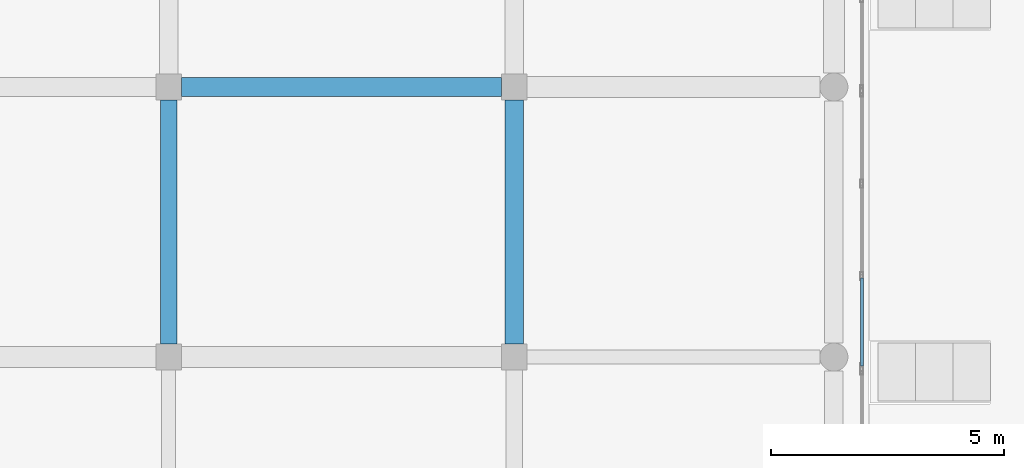
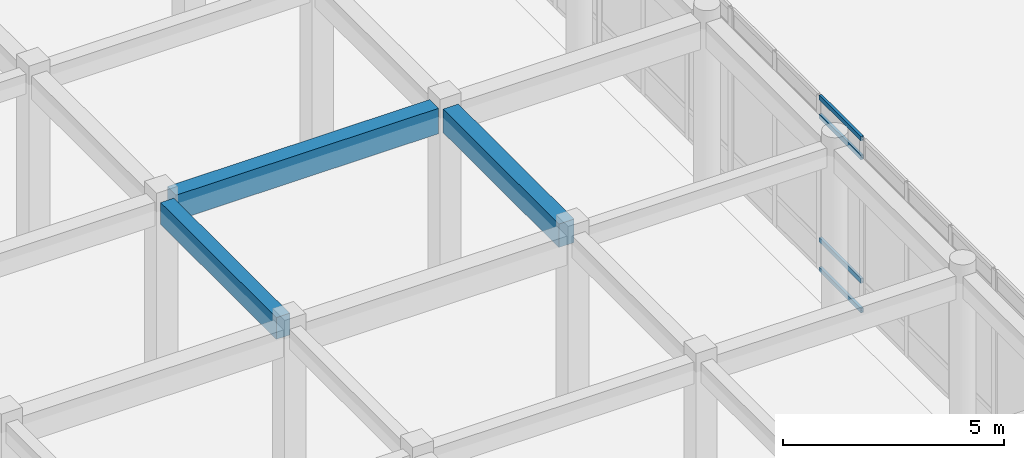
# One storey, part 24 of 121: 4 members, 3 beams, 1 element without a shape of its own.
"""IFC4 building model written with IfcOpenShell, lengths in metres."""

from ifc_helpers import new_model, si_unit, direction, frame, origin, origin_2d, place, context, subcontext, project, spatial, rectangle, hollow_rectangle, extrude, material, layer, layer_set, material_profile, profile_set, type_object, element, aggregate, save


model = new_model("IFC4")

# Units and contexts
model_context = context("Model", 3, precision=1e-05, world=origin(), true_north=direction((0.0, 1.0)))
body_context = subcontext(model_context, "Body", "Model", "MODEL_VIEW")
ifc_project = project(units=[si_unit("LENGTHUNIT", "METRE"), si_unit("AREAUNIT", "SQUARE_METRE"), si_unit("VOLUMEUNIT", "CUBIC_METRE"), si_unit("PLANEANGLEUNIT", "RADIAN"), si_unit("MASSUNIT", "GRAM", prefix="KILO")], contexts=[model_context])

# Site, building, storey
site_placement = place(None, origin())
site = spatial("IfcSite", under=ifc_project, at=site_placement, CompositionType="ELEMENT")
building_placement = place(site_placement, origin())
building = spatial("IfcBuilding", under=site, at=building_placement, Name="Valcora Specialist Clinic", CompositionType="ELEMENT")
storey_placement = place(building_placement, origin())
storey = spatial("IfcBuildingStorey", under=building, at=storey_placement, Name="L00", CompositionType="ELEMENT", Elevation=0.0)

# Beams
ifc_material_1 = material(Name="Concrete C40/50", Category="concrete")
ifc_material_profile_1 = material_profile(ifc_material_1, rectangle(XDim=0.35009765625, YDim=0.60009765625, at=origin_2d()), Name="RC-BM-350X600")
ifc_profile_set_1 = profile_set([ifc_material_profile_1], Name="Concrete C40/50")
beam_type_1 = type_object("IfcBeamType", Name="TY-BM-RC350X600", PredefinedType="BEAM", material=ifc_profile_set_1)
beam_1_placement = place(storey_placement, frame((15.0, 50.595947265625, 4.510009765625), z_axis=(0.0, 1.0, 0.0), x_axis=(-1.0, 0.0, 0.0)))
element("IfcBeam", 1, at=beam_1_placement, inside=storey, type_object=beam_type_1, Name="Beam BM-L00-0114", PredefinedType="BEAM", context=body_context, shape_type="SweptSolid", body=[
    extrude(rectangle(XDim=0.35009765625, YDim=0.60009765625, at=origin_2d()), origin(), (0.0, 0.0, 1.0), 5.236083984375),
])
ifc_material_profile_2 = material_profile(ifc_material_1, rectangle(XDim=0.39990234375, YDim=0.64990234375, at=origin_2d()), Name="RC-BM-400X650")
ifc_profile_set_2 = profile_set([ifc_material_profile_2], Name="Concrete C40/50")
beam_type_2 = type_object("IfcBeamType", Name="TY-BM-RC400X650", PredefinedType="BEAM", material=ifc_profile_set_2)
beam_2_placement = place(storey_placement, frame((22.39990234375, 50.595947265625, 4.485107421875), z_axis=(0.0, 1.0, 0.0), x_axis=(-1.0, 0.0, 0.0)))
element("IfcBeam", 2, at=beam_2_placement, inside=storey, type_object=beam_type_2, Name="Beam BM-L00-0121", PredefinedType="BEAM", context=body_context, shape_type="SweptSolid", body=[
    extrude(rectangle(XDim=0.39990234375, YDim=0.64990234375, at=origin_2d()), origin(), (0.0, 0.0, 1.0), 5.236083984375),
])
ifc_material_profile_3 = material_profile(ifc_material_1, rectangle(XDim=0.39990234375, YDim=0.699951171875, at=origin_2d()), Name="RC-BM-400X700")
ifc_profile_set_3 = profile_set([ifc_material_profile_3], Name="Concrete C40/50")
beam_type_3 = type_object("IfcBeamType", Name="TY-BM-RC400X700", PredefinedType="BEAM", material=ifc_profile_set_3)
beam_3_placement = place(storey_placement, frame((15.27490234375, 56.10693359375, 4.4599609375), z_axis=(1.0, 0.0, 0.0), x_axis=(0.0, 1.0, 0.0)))
element("IfcBeam", 3, at=beam_3_placement, inside=storey, type_object=beam_type_3, Name="Beam BM-L00-0082", PredefinedType="BEAM", context=body_context, shape_type="SweptSolid", body=[
    extrude(rectangle(XDim=0.39990234375, YDim=0.699951171875, at=origin_2d()), origin(), (0.0, 0.0, 1.0), 6.85009765625),
])

# Curtain wall, members
ifc_material_2 = material(Name="Anodized Bronze Aluminium 6063-T6", Category="aluminium")
ifc_layer = layer(ifc_material_2, 0.175048828125)
ifc_layer_set = layer_set([ifc_layer], Name="Anodized Bronze Aluminium 6063-T6")
curtain_wall_type = type_object("IfcCurtainWallType", Name="TY-CW-HAL18", PredefinedType="NOTDEFINED", material=ifc_layer_set)
curtain_wall_placement = place(storey_placement, origin())
curtain_wall = element("IfcCurtainWall", 4, at=curtain_wall_placement, inside=storey, type_object=curtain_wall_type, Name="Curtain wall CW-L00-005", PredefinedType="NOTDEFINED")
ifc_material_profile_4 = material_profile(ifc_material_2, hollow_rectangle(XDim=0.06494140625, YDim=0.1298828125, WallThickness=0.00390625, at=origin_2d()), Name="AL-TRN-65X130")
ifc_profile_set_4 = profile_set([ifc_material_profile_4], Name="Anodized Bronze Aluminium 6063-T6")
member_type = type_object("IfcMemberType", Name="TY-CWT-65X130", PredefinedType="USERDEFINED", material=ifc_profile_set_4)
member_1_placement = place(storey_placement, frame((29.85009765625, 52.017578125, 0.032470703125), z_axis=(0.0, -1.0, 0.0), x_axis=(1.0, 0.0, 0.0)))
member_1 = element("IfcMember", 5, at=member_1_placement, type_object=member_type, Name="CW-HAL-18 transom 3.1", ObjectType="TRANSOM", PredefinedType="USERDEFINED", context=body_context, shape_type="SweptSolid", body=[
    extrude(hollow_rectangle(XDim=0.06494140625, YDim=0.1298828125, WallThickness=0.00390625, at=origin_2d()), origin(), (0.0, 0.0, 1.0), 1.88818359375),
])
member_2_placement = place(storey_placement, frame((29.85009765625, 52.017578125, 0.85009765625), z_axis=(0.0, -1.0, 0.0), x_axis=(1.0, 0.0, 0.0)))
member_2 = element("IfcMember", 6, at=member_2_placement, type_object=member_type, Name="CW-HAL-18 transom 3.2", ObjectType="TRANSOM", PredefinedType="USERDEFINED", context=body_context, shape_type="SweptSolid", body=[
    extrude(hollow_rectangle(XDim=0.06494140625, YDim=0.1298828125, WallThickness=0.00390625, at=origin_2d()), origin(), (0.0, 0.0, 1.0), 1.88818359375),
])
member_3_placement = place(storey_placement, frame((29.85009765625, 52.017578125, 4.260009765625), z_axis=(0.0, -1.0, 0.0), x_axis=(1.0, 0.0, 0.0)))
member_3 = element("IfcMember", 7, at=member_3_placement, type_object=member_type, Name="CW-HAL-18 transom 3.3", ObjectType="TRANSOM", PredefinedType="USERDEFINED", context=body_context, shape_type="SweptSolid", body=[
    extrude(hollow_rectangle(XDim=0.06494140625, YDim=0.1298828125, WallThickness=0.00390625, at=origin_2d()), origin(), (0.0, 0.0, 1.0), 1.88818359375),
])
member_4_placement = place(storey_placement, frame((29.85009765625, 52.017578125, 4.777587890625), z_axis=(0.0, -1.0, 0.0), x_axis=(1.0, 0.0, 0.0)))
member_4 = element("IfcMember", 8, at=member_4_placement, type_object=member_type, Name="CW-HAL-18 transom 3.4", ObjectType="TRANSOM", PredefinedType="USERDEFINED", context=body_context, shape_type="SweptSolid", body=[
    extrude(hollow_rectangle(XDim=0.06494140625, YDim=0.1298828125, WallThickness=0.00390625, at=origin_2d()), origin(), (0.0, 0.0, 1.0), 1.88818359375),
])
aggregate(curtain_wall, [member_1, member_2, member_3, member_4])

save(model, "model.ifc")
